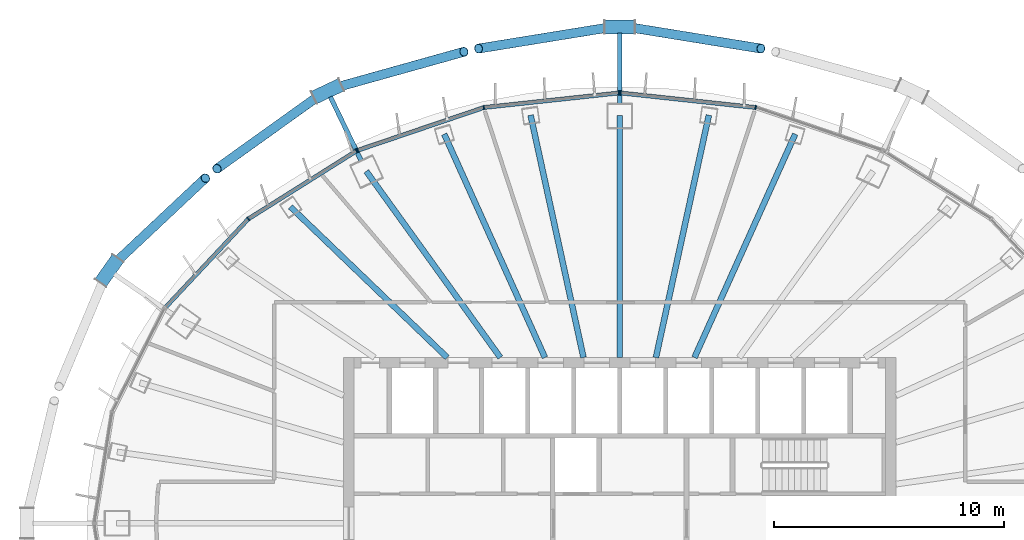
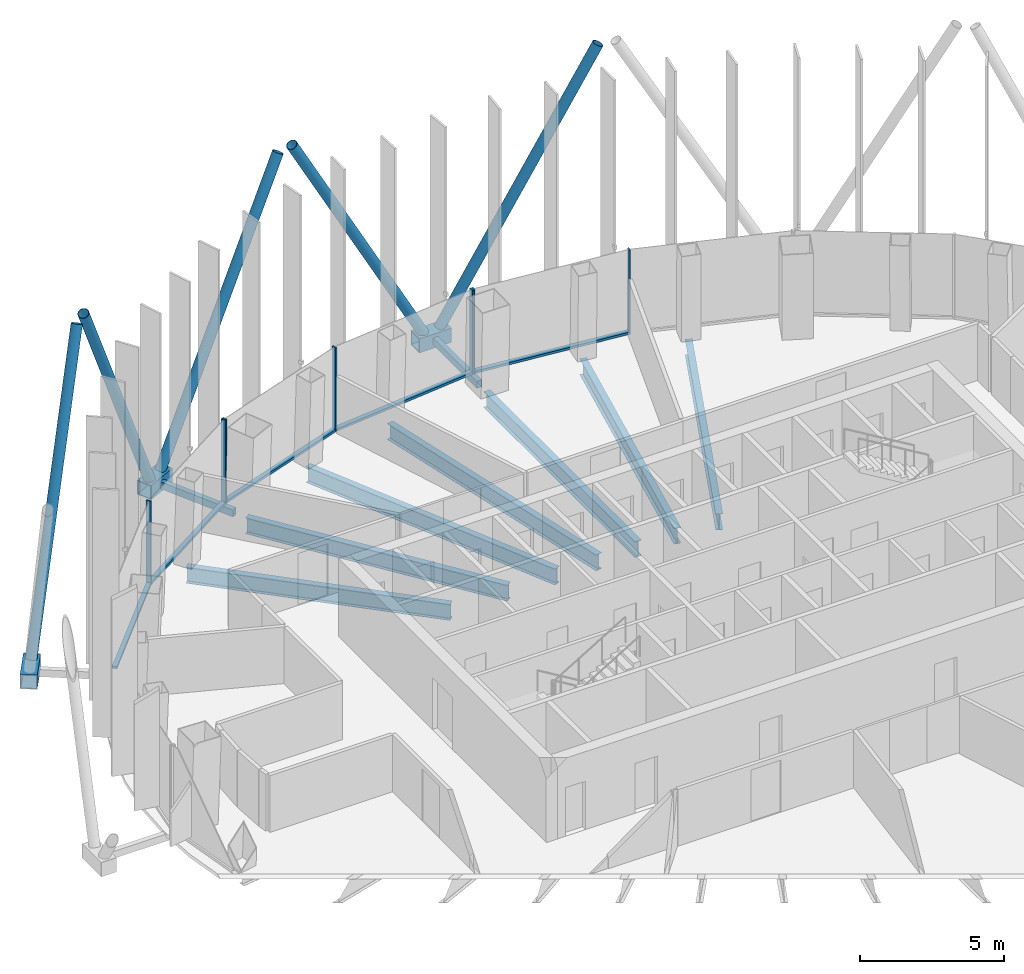
# One storey, part 5 of 17: 22 members, 7 beams, 3 elements without a shape of their own.
"""IFC4 building model written with IfcOpenShell, lengths in metres."""

from ifc_helpers import new_model, si_unit, direction, frame, origin, origin_2d, place, context, subcontext, project, spatial, rectangle, hollow_rectangle, hollow_circle, i_section, extrude, material, layer, layer_set, material_profile, profile_set, type_object, element, aggregate, save


model = new_model("IFC4")

# Units and contexts
model_context = context("Model", 3, precision=1e-05, world=origin(), true_north=direction((0.0, 1.0)))
body_context = subcontext(model_context, "Body", "Model", "MODEL_VIEW")
ifc_project = project(units=[si_unit("LENGTHUNIT", "METRE"), si_unit("AREAUNIT", "SQUARE_METRE"), si_unit("VOLUMEUNIT", "CUBIC_METRE"), si_unit("PLANEANGLEUNIT", "RADIAN"), si_unit("MASSUNIT", "GRAM", prefix="KILO")], contexts=[model_context])

# Site, building, storey
site_placement = place(None, origin())
site = spatial("IfcSite", under=ifc_project, at=site_placement, CompositionType="ELEMENT")
building_placement = place(site_placement, origin())
building = spatial("IfcBuilding", under=site, at=building_placement, Name="Siaravel Broadcast Tower", CompositionType="ELEMENT")
storey_placement = place(building_placement, frame((0.0, 0.0, 190.39990234375)))
storey = spatial("IfcBuildingStorey", under=building, at=storey_placement, Name="L46", CompositionType="ELEMENT", Elevation=190.39990234375)

# Beams
ifc_material_1 = material(Name="Steel S355", Category="steel")
ifc_material_profile_1 = material_profile(ifc_material_1, i_section(OverallWidth=0.2529296875, OverallDepth=0.677978515625, WebThickness=0.01171875, FlangeThickness=0.01611328125, FilletRadius=0.01513671875, at=origin_2d()))
ifc_profile_set_1 = profile_set([ifc_material_profile_1], Name="Steel S355")
beam_type = type_object("IfcBeamType", Name="BM-UB 686x254x125", PredefinedType="BEAM", material=ifc_profile_set_1)
beam_1_placement = place(storey_placement, frame((7.62158203125, 16.900146484375, -0.489013671875), z_axis=(-0.411101024, -0.911589792, 0.0), x_axis=(0.911589792, -0.411101024, 0.0)))
element("IfcBeam", 1, at=beam_1_placement, inside=storey, type_object=beam_type, Name="Radial beam RB08", PredefinedType="BEAM", context=body_context, shape_type="SweptSolid", body=[
    extrude(i_section(OverallWidth=0.2529296875, OverallDepth=0.677978515625, WebThickness=0.01171875, FlangeThickness=0.01611328125, FilletRadius=0.01513671875, at=origin_2d()), origin(), (0.0, 0.0, 1.0), 10.640869140625),
])
beam_2_placement = place(storey_placement, frame((3.871337890625, 17.72314453125, -0.489013671875), z_axis=(-0.21339877, -0.976965181, 0.0), x_axis=(0.976965181, -0.21339877, 0.0)))
element("IfcBeam", 2, at=beam_2_placement, inside=storey, type_object=beam_type, Name="Radial beam RB09", PredefinedType="BEAM", context=body_context, shape_type="SweptSolid", body=[
    extrude(i_section(OverallWidth=0.2529296875, OverallDepth=0.677978515625, WebThickness=0.01171875, FlangeThickness=0.01611328125, FilletRadius=0.01513671875, at=origin_2d()), origin(), (0.0, 0.0, 1.0), 10.771240234375),
])
beam_3_placement = place(storey_placement, frame((0.0, 17.70068359375, -0.489013671875), z_axis=(0.0, -1.0, 0.0), x_axis=(1.0, 0.0, 0.0)))
element("IfcBeam", 3, at=beam_3_placement, inside=storey, type_object=beam_type, Name="Radial beam RB10", PredefinedType="BEAM", context=body_context, shape_type="SweptSolid", body=[
    extrude(i_section(OverallWidth=0.2529296875, OverallDepth=0.677978515625, WebThickness=0.01171875, FlangeThickness=0.01611328125, FilletRadius=0.01513671875, at=origin_2d()), origin(), (0.0, 0.0, 1.0), 10.500732421875),
])
beam_4_placement = place(storey_placement, frame((-3.871337890625, 17.72314453125, -0.489013671875), z_axis=(0.21339877, -0.976965181, 0.0), x_axis=(0.976965181, 0.21339877, 0.0)))
element("IfcBeam", 4, at=beam_4_placement, inside=storey, type_object=beam_type, Name="Radial beam RB11", PredefinedType="BEAM", context=body_context, shape_type="SweptSolid", body=[
    extrude(i_section(OverallWidth=0.2529296875, OverallDepth=0.677978515625, WebThickness=0.01171875, FlangeThickness=0.01611328125, FilletRadius=0.01513671875, at=origin_2d()), origin(), (0.0, 0.0, 1.0), 10.771240234375),
])
beam_5_placement = place(storey_placement, frame((-7.62158203125, 16.900146484375, -0.489013671875), z_axis=(0.411101024, -0.911589792, 0.0), x_axis=(0.911589792, 0.411101024, 0.0)))
element("IfcBeam", 5, at=beam_5_placement, inside=storey, type_object=beam_type, Name="Radial beam RB12", PredefinedType="BEAM", context=body_context, shape_type="SweptSolid", body=[
    extrude(i_section(OverallWidth=0.2529296875, OverallDepth=0.677978515625, WebThickness=0.01171875, FlangeThickness=0.01611328125, FilletRadius=0.01513671875, at=origin_2d()), origin(), (0.0, 0.0, 1.0), 10.640869140625),
])
beam_6_placement = place(storey_placement, frame((-11.005859375, 15.287353515625, -0.489013671875), z_axis=(0.584260838, -0.811565939, 0.0), x_axis=(0.811565939, 0.584260838, 0.0)))
element("IfcBeam", 6, at=beam_6_placement, inside=storey, type_object=beam_type, Name="Radial beam RB13", PredefinedType="BEAM", context=body_context, shape_type="SweptSolid", body=[
    extrude(i_section(OverallWidth=0.2529296875, OverallDepth=0.677978515625, WebThickness=0.01171875, FlangeThickness=0.01611328125, FilletRadius=0.01513671875, at=origin_2d()), origin(), (0.0, 0.0, 1.0), 9.965087890625),
])
beam_7_placement = place(storey_placement, frame((-14.30029296875, 13.742919921875, -0.489013671875), z_axis=(0.721006936, -0.692927845, 0.0), x_axis=(0.692927845, 0.721006936, 0.0)))
element("IfcBeam", 7, at=beam_7_placement, inside=storey, type_object=beam_type, Name="Radial beam RB14", PredefinedType="BEAM", context=body_context, shape_type="SweptSolid", body=[
    extrude(i_section(OverallWidth=0.2529296875, OverallDepth=0.677978515625, WebThickness=0.01171875, FlangeThickness=0.01611328125, FilletRadius=0.01513671875, at=origin_2d()), origin(), (0.0, 0.0, 1.0), 9.4423828125),
])

# Curtain wall, members
ifc_material_2 = material(Name="Aluminium 6063-T6", Category="aluminium")
ifc_layer = layer(ifc_material_2, 0.179931640625)
ifc_layer_set = layer_set([ifc_layer], Name="Aluminium 6063-T6")
curtain_wall_type = type_object("IfcCurtainWallType", Name="Unitised curtain wall, zone 3", PredefinedType="NOTDEFINED", material=ifc_layer_set)
curtain_wall_1_placement = place(storey_placement, origin())
curtain_wall_1 = element("IfcCurtainWall", 8, at=curtain_wall_1_placement, inside=storey, type_object=curtain_wall_type, Name="L46 Unitised curtain wall, zone 3 03", PredefinedType="NOTDEFINED")
ifc_material_profile_2 = material_profile(ifc_material_2, rectangle(XDim=0.179931640625, YDim=0.06005859375, at=origin_2d()))
ifc_profile_set_2 = profile_set([ifc_material_profile_2], Name="Aluminium 6063-T6")
member_type_1 = type_object("IfcMemberType", Name="CW-Z3 mullion", PredefinedType="MULLION", material=ifc_profile_set_2)
member_1_placement = place(storey_placement, frame((5.901611328125, 18.056884765625, 0.0), z_axis=(0.0, 0.0, 1.0), x_axis=(-0.21555795, -0.97649105, 0.0)))
member_1 = element("IfcMember", 9, at=member_1_placement, type_object=member_type_1, Name="CW-Z3 mullion 2", PredefinedType="MULLION", context=body_context, shape_type="SweptSolid", body=[
    extrude(rectangle(XDim=0.179931640625, YDim=0.06005859375, at=origin_2d()), origin(), (0.0, 0.0, 1.0), 3.550048828125),
])
member_2_placement = place(storey_placement, frame((0.02978515625, 18.68994140625, 0.0), z_axis=(0.0, 0.0, 1.0), x_axis=(-0.107217422, -0.994235598, 0.0)))
member_2 = element("IfcMember", 10, at=member_2_placement, type_object=member_type_1, Name="CW-Z3 mullion 3", PredefinedType="MULLION", context=body_context, shape_type="SweptSolid", body=[
    extrude(rectangle(XDim=0.179931640625, YDim=0.06005859375, at=origin_2d()), origin(), (0.0, 0.0, 1.0), 3.550048828125),
])

curtain_wall_2_placement = place(storey_placement, origin())
curtain_wall_2 = element("IfcCurtainWall", 11, at=curtain_wall_2_placement, inside=storey, type_object=curtain_wall_type, Name="L46 Unitised curtain wall, zone 3 04", PredefinedType="NOTDEFINED")
member_3_placement = place(storey_placement, frame((-0.02978515625, 18.68994140625, 0.0), z_axis=(0.0, 0.0, 1.0), x_axis=(0.107217422, -0.994235598, 0.0)))
member_3 = element("IfcMember", 12, at=member_3_placement, type_object=member_type_1, Name="CW-Z3 mullion 1", PredefinedType="MULLION", context=body_context, shape_type="SweptSolid", body=[
    extrude(rectangle(XDim=0.179931640625, YDim=0.06005859375, at=origin_2d()), origin(), (0.0, 0.0, 1.0), 3.550048828125),
])
member_4_placement = place(storey_placement, frame((-5.901611328125, 18.056884765625, 0.0), z_axis=(0.0, 0.0, 1.0), x_axis=(0.21555795, -0.97649105, 0.0)))
member_4 = element("IfcMember", 13, at=member_4_placement, type_object=member_type_1, Name="CW-Z3 mullion 2", PredefinedType="MULLION", context=body_context, shape_type="SweptSolid", body=[
    extrude(rectangle(XDim=0.179931640625, YDim=0.06005859375, at=origin_2d()), origin(), (0.0, 0.0, 1.0), 3.550048828125),
])
member_5_placement = place(storey_placement, frame((-11.373046875, 16.2001953125, 0.0), z_axis=(0.0, 0.0, 1.0), x_axis=(0.321300458, -0.946977305, 0.0)))
member_5 = element("IfcMember", 14, at=member_5_placement, type_object=member_type_1, Name="CW-Z3 mullion 3", PredefinedType="MULLION", context=body_context, shape_type="SweptSolid", body=[
    extrude(rectangle(XDim=0.179931640625, YDim=0.06005859375, at=origin_2d()), origin(), (0.0, 0.0, 1.0), 3.550048828125),
])

curtain_wall_3_placement = place(storey_placement, origin())
curtain_wall_3 = element("IfcCurtainWall", 15, at=curtain_wall_3_placement, inside=storey, type_object=curtain_wall_type, Name="L46 Unitised curtain wall, zone 3 05", PredefinedType="NOTDEFINED")
member_6_placement = place(storey_placement, frame((-11.427001953125, 16.1748046875, 0.0), z_axis=(0.0, 0.0, 1.0), x_axis=(0.532149052, -0.846650687, 0.0)))
member_6 = element("IfcMember", 16, at=member_6_placement, type_object=member_type_1, Name="CW-Z3 mullion 1", PredefinedType="MULLION", context=body_context, shape_type="SweptSolid", body=[
    extrude(rectangle(XDim=0.179931640625, YDim=0.06005859375, at=origin_2d()), origin(), (0.0, 0.0, 1.0), 3.550048828125),
])
member_7_placement = place(storey_placement, frame((-16.12548828125, 13.221435546875, 0.0), z_axis=(0.0, 0.0, 1.0), x_axis=(0.636218507, -0.771508918, 0.0)))
member_7 = element("IfcMember", 17, at=member_7_placement, type_object=member_type_1, Name="CW-Z3 mullion 2", PredefinedType="MULLION", context=body_context, shape_type="SweptSolid", body=[
    extrude(rectangle(XDim=0.179931640625, YDim=0.06005859375, at=origin_2d()), origin(), (0.0, 0.0, 1.0), 3.550048828125),
])

# Member
ifc_material_profile_3 = material_profile(ifc_material_2, rectangle(XDim=0.179931640625, YDim=0.10009765625, at=origin_2d()))
ifc_profile_set_3 = profile_set([ifc_material_profile_3], Name="Aluminium 6063-T6")
member_type_2 = type_object("IfcMemberType", Name="CW-Z3 transom", PredefinedType="USERDEFINED", material=ifc_profile_set_3)
member_8_placement = place(storey_placement, frame((5.87158203125, 18.06005859375, 0.050048828125), z_axis=(-0.994236081, 0.107212939, 0.0), x_axis=(-0.107212939, -0.994236081, 0.0)))
member_8 = element("IfcMember", 18, at=member_8_placement, type_object=member_type_2, Name="CW-Z3 transom 2", ObjectType="TRANSOM", PredefinedType="USERDEFINED", context=body_context, shape_type="SweptSolid", body=[
    extrude(rectangle(XDim=0.179931640625, YDim=0.10009765625, at=origin_2d()), origin(), (0.0, 0.0, 1.0), 5.845458984375),
])

aggregate(curtain_wall_1, [member_1, member_2, member_8])

member_9_placement = place(storey_placement, frame((-0.059814453125, 18.686767578125, 0.050048828125), z_axis=(-0.994236081, -0.107212939, 0.0), x_axis=(0.107212939, -0.994236081, 0.0)))
member_9 = element("IfcMember", 19, at=member_9_placement, type_object=member_type_2, Name="CW-Z3 transom 1", ObjectType="TRANSOM", PredefinedType="USERDEFINED", context=body_context, shape_type="SweptSolid", body=[
    extrude(rectangle(XDim=0.179931640625, YDim=0.10009765625, at=origin_2d()), origin(), (0.0, 0.0, 1.0), 5.845458984375),
])

member_10_placement = place(storey_placement, frame((-5.929931640625, 18.047119140625, 0.050048828125), z_axis=(-0.946978932, -0.321295661, 0.0), x_axis=(0.321295661, -0.946978932, 0.0)))
member_10 = element("IfcMember", 20, at=member_10_placement, type_object=member_type_2, Name="CW-Z3 transom 2", ObjectType="TRANSOM", PredefinedType="USERDEFINED", context=body_context, shape_type="SweptSolid", body=[
    extrude(rectangle(XDim=0.179931640625, YDim=0.10009765625, at=origin_2d()), origin(), (0.0, 0.0, 1.0), 5.718017578125),
])

aggregate(curtain_wall_2, [member_3, member_4, member_5, member_9, member_10])

member_11_placement = place(storey_placement, frame((-11.452392578125, 16.15869140625, 0.050048828125), z_axis=(-0.846638839, -0.532167902, 0.0), x_axis=(0.532167902, -0.846638839, 0.0)))
member_11 = element("IfcMember", 21, at=member_11_placement, type_object=member_type_2, Name="CW-Z3 transom 1", ObjectType="TRANSOM", PredefinedType="USERDEFINED", context=body_context, shape_type="SweptSolid", body=[
    extrude(rectangle(XDim=0.179931640625, YDim=0.10009765625, at=origin_2d()), origin(), (0.0, 0.0, 1.0), 5.489501953125),
])

member_12_placement = place(storey_placement, frame((-16.146240234375, 13.199462890625, 0.050048828125), z_axis=(-0.683645131, -0.72981459, 0.0), x_axis=(0.72981459, -0.683645131, 0.0)))
member_12 = element("IfcMember", 22, at=member_12_placement, type_object=member_type_2, Name="CW-Z3 transom 2", ObjectType="TRANSOM", PredefinedType="USERDEFINED", context=body_context, shape_type="SweptSolid", body=[
    extrude(rectangle(XDim=0.179931640625, YDim=0.10009765625, at=origin_2d()), origin(), (0.0, 0.0, 1.0), 5.2138671875),
])

aggregate(curtain_wall_3, [member_6, member_7, member_11, member_12])

# Members
ifc_material_3 = material(Name="Steel S460", Category="steel")
ifc_material_profile_4 = material_profile(ifc_material_3, hollow_circle(Radius=0.203125, WallThickness=0.01611328125, at=origin_2d()))
ifc_profile_set_4 = profile_set([ifc_material_profile_4], Name="Steel S460")
member_type_3 = type_object("IfcMemberType", Name="Diagrid diagonal CHS 406.4x16", PredefinedType="BRACE", material=ifc_profile_set_4)
for number, where, z_axis, x_axis, name in (
    (23, (0.323486328125, 21.557861328125, 0.070068359375), (0.480492444, -0.077833636, 0.873538171), (0.159902892, 0.987132749, 0.0), "Diagrid diagonal R19 station 18C"),
    (24, (-0.323486328125, 21.557861328125, 0.070068359375), (-0.480492444, -0.077833636, 0.873538171), (0.159902892, -0.987132749, 0.0), "Diagrid diagonal R19 station 18A"),
):
    element("IfcMember", number, at=place(storey_placement, frame(where, z_axis=z_axis, x_axis=x_axis)), inside=storey, type_object=member_type_3, Name=name, PredefinedType="BRACE", context=body_context, shape_type="SweptSolid", body=[
        extrude(hollow_circle(Radius=0.203125, WallThickness=0.01611328125, at=origin_2d()), origin(), (0.0, 0.0, 1.0), 12.0888671875),
    ])
member_13_placement = place(storey_placement, frame((-12.391357421875, 18.90673828125, 0.070068359375), z_axis=(0.466270762, 0.130197346, 0.875008701), x_axis=(-0.268943218, 0.963156034, 0.0)))
element("IfcMember", 25, at=member_13_placement, inside=storey, type_object=member_type_3, Name="Diagrid diagonal R19 station 24C", PredefinedType="BRACE", context=body_context, shape_type="SweptSolid", body=[
    extrude(hollow_circle(Radius=0.203125, WallThickness=0.01611328125, at=origin_2d()), origin(), (0.0, 0.0, 1.0), 12.068603515625),
])
member_14_placement = place(storey_placement, frame((-12.976318359375, 18.630126953125, 0.070068359375), z_axis=(-0.378431016, -0.270813609, 0.885127084), x_axis=(0.581957602, -0.813219128, 0.0)))
element("IfcMember", 26, at=member_14_placement, inside=storey, type_object=member_type_3, Name="Diagrid diagonal R19 station 24A", PredefinedType="BRACE", context=body_context, shape_type="SweptSolid", body=[
    extrude(hollow_circle(Radius=0.203125, WallThickness=0.01611328125, at=origin_2d()), origin(), (0.0, 0.0, 1.0), 11.9306640625),
])
member_15_placement = place(storey_placement, frame((-21.982421875, 11.2412109375, 0.070068359375), z_axis=(0.335500902, 0.315078572, 0.88778637), x_axis=(-0.6845728, 0.728944498, 0.0)))
element("IfcMember", 27, at=member_15_placement, inside=storey, type_object=member_type_3, Name="Diagrid diagonal R19 station 30C", PredefinedType="BRACE", context=body_context, shape_type="SweptSolid", body=[
    extrude(hollow_circle(Radius=0.203125, WallThickness=0.01611328125, at=origin_2d()), origin(), (0.0, 0.0, 1.0), 11.894775390625),
])
ifc_material_profile_5 = material_profile(ifc_material_3, hollow_rectangle(XDim=0.60009765625, YDim=0.60009765625, WallThickness=0.031982421875, at=origin_2d()))
ifc_profile_set_5 = profile_set([ifc_material_profile_5], Name="Steel S460")
member_type_4 = type_object("IfcMemberType", Name="Diagrid node BOX 600x600x32", PredefinedType="USERDEFINED", material=ifc_profile_set_5)
for number, where, z_axis, x_axis, name in (
    (28, (0.646728515625, 21.557861328125, -0.199951171875), (-1.0, 0.0, 0.0), (0.0, -1.0, 0.0), "Diagrid node R19 station 18"),
    (29, (-12.09912109375, 19.044921875, -0.199951171875), (-0.903991359, -0.427550726, 0.0), (0.427550726, -0.903991359, 0.0), "Diagrid node R19 station 24"),
    (30, (-21.79638671875, 11.505615234375, -0.199951171875), (-0.576030928, -0.817427899, 0.0), (0.817427899, -0.576030928, 0.0), "Diagrid node R19 station 30"),
):
    element("IfcMember", number, at=place(storey_placement, frame(where, z_axis=z_axis, x_axis=x_axis)), inside=storey, type_object=member_type_4, Name=name, ObjectType="DIAGRID NODE", PredefinedType="USERDEFINED", context=body_context, shape_type="SweptSolid", body=[
        extrude(hollow_rectangle(XDim=0.60009765625, YDim=0.60009765625, WallThickness=0.031982421875, at=origin_2d()), origin(), (0.0, 0.0, 1.0), 1.29345703125),
    ])
ifc_material_profile_6 = material_profile(ifc_material_3, hollow_rectangle(XDim=0.199951171875, YDim=0.300048828125, WallThickness=0.012451171875, at=origin_2d()))
ifc_profile_set_6 = profile_set([ifc_material_profile_6], Name="Steel S460")
member_type_5 = type_object("IfcMemberType", Name="Diagrid node arm RHS 300x200x12.5", PredefinedType="STRUT", material=ifc_profile_set_6)
member_16_placement = place(storey_placement, frame((0.0, 18.220703125, -0.199951171875), z_axis=(0.0, 1.0, 0.0), x_axis=(-1.0, 0.0, 0.0)))
element("IfcMember", 31, at=member_16_placement, inside=storey, type_object=member_type_5, Name="Node arm R19 station 18", PredefinedType="STRUT", context=body_context, shape_type="SweptSolid", body=[
    extrude(hollow_rectangle(XDim=0.199951171875, YDim=0.300048828125, WallThickness=0.012451171875, at=origin_2d()), origin(), (0.0, 0.0, 1.0), 3.067138671875),
])
member_17_placement = place(storey_placement, frame((-11.231689453125, 15.755859375, -0.199951171875), z_axis=(-0.434238201, 0.900798082, 0.0), x_axis=(-0.900798082, -0.434238201, 0.0)))
element("IfcMember", 32, at=member_17_placement, inside=storey, type_object=member_type_5, Name="Node arm R19 station 24", PredefinedType="STRUT", context=body_context, shape_type="SweptSolid", body=[
    extrude(hollow_rectangle(XDim=0.199951171875, YDim=0.300048828125, WallThickness=0.012451171875, at=origin_2d()), origin(), (0.0, 0.0, 1.0), 3.07421875),
])

save(model, "model.ifc")
